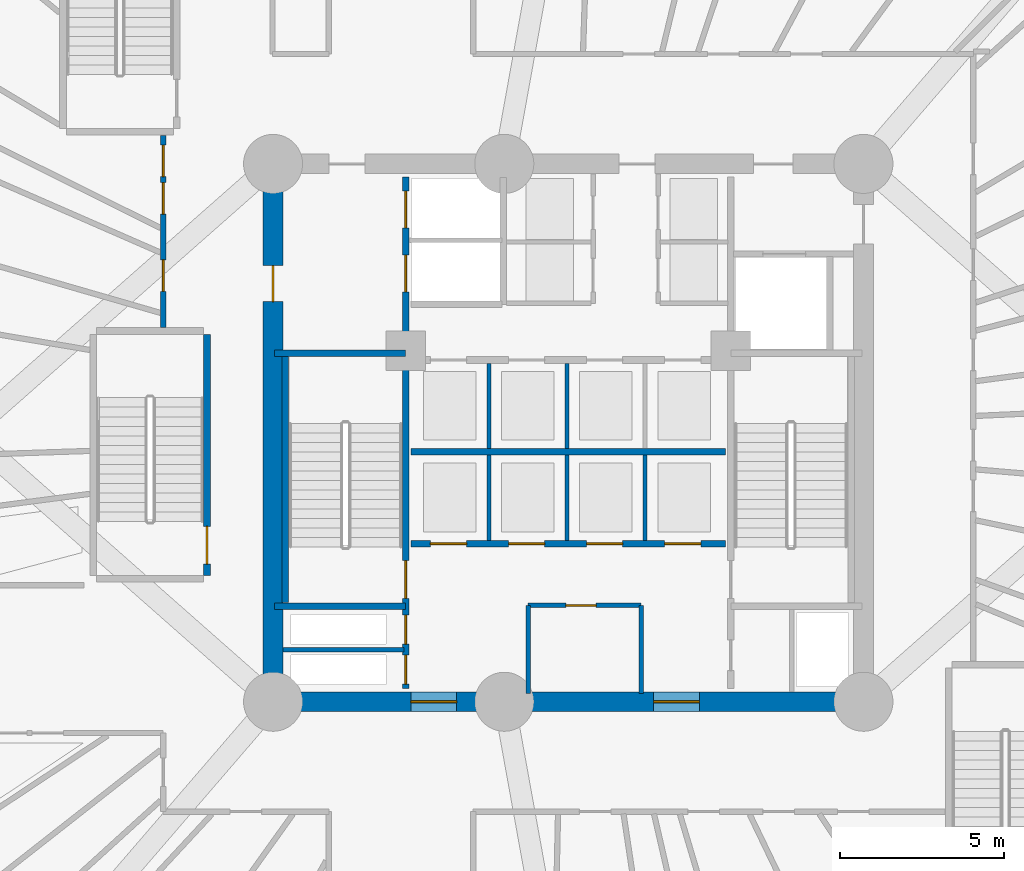
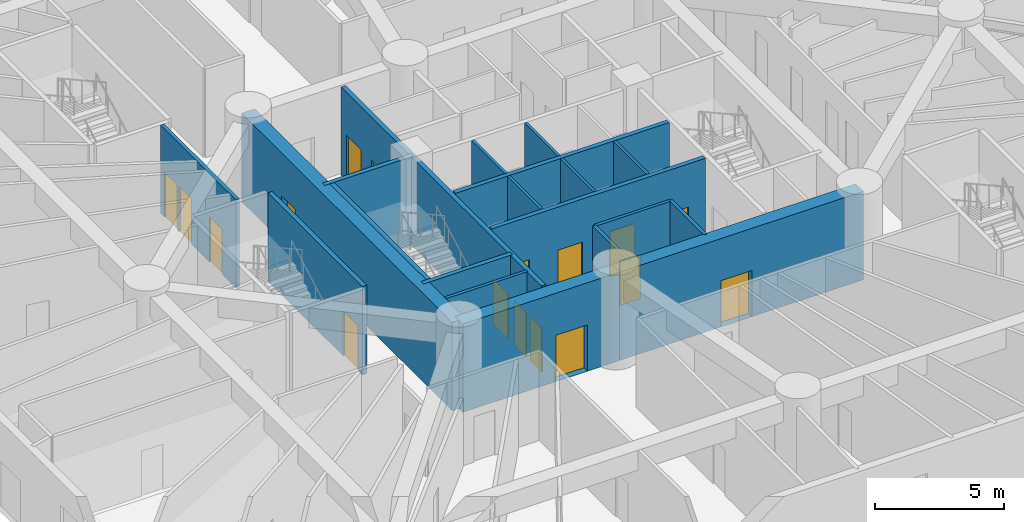
# One storey, part 15 of 30: 20 walls, 17 doors, 17 openings.
"""IFC4 building model written with IfcOpenShell, lengths in metres."""

from ifc_helpers import new_model, si_unit, direction, frame, frame_2d, origin, origin_with_axes, place, context, subcontext, project, spatial, rectangle, extrude, source, transform, mapped, material, layer, layer_set, type_object, element, fill, save


model = new_model("IFC4")

# Units and contexts
model_context = context("Model", 3, precision=1e-05, world=origin(), true_north=direction((0.0, 1.0)))
body_context = subcontext(model_context, "Body", "Model", "MODEL_VIEW")
ifc_project = project(units=[si_unit("LENGTHUNIT", "METRE"), si_unit("AREAUNIT", "SQUARE_METRE"), si_unit("VOLUMEUNIT", "CUBIC_METRE"), si_unit("PLANEANGLEUNIT", "RADIAN"), si_unit("MASSUNIT", "GRAM", prefix="KILO")], contexts=[model_context])

# Site, building, storey
site_placement = place(None, origin())
site = spatial("IfcSite", under=ifc_project, at=site_placement, CompositionType="ELEMENT")
building_placement = place(site_placement, origin())
building = spatial("IfcBuilding", under=site, at=building_placement, Name="Karkom Vertical University and Central Library", CompositionType="ELEMENT")
storey_placement = place(building_placement, origin())
storey = spatial("IfcBuildingStorey", under=building, at=storey_placement, Name="L00", CompositionType="ELEMENT", Elevation=0.0)

# Wall, openings, doors
ifc_material_1 = material(Name="Insulated metal-stud drywall 160mm", Category="gypsum")
ifc_layer_1 = layer(ifc_material_1, 0.159912109375)
ifc_layer_set_1 = layer_set([ifc_layer_1], Name="Insulated metal-stud drywall 160mm")
wall_type_1 = type_object("IfcWallType", Name="INT-WL-COR-160F", PredefinedType="PARTITIONING", material=ifc_layer_set_1)
wall_1_placement = place(storey_placement, frame((16.14990234375, 29.7119140625, 0.0), z_axis=(0.0, 0.0, 1.0), x_axis=(0.0, 1.0, 0.0)))
wall_1 = element("IfcWall", 1, at=wall_1_placement, inside=storey, type_object=wall_type_1, Name="Level 00 Interior Partition Wall L00-PDCW-CW-002", PredefinedType="PARTITIONING", context=body_context, shape_type="SweptSolid", body=[
    extrude(rectangle(XDim=5.86083984375, YDim=0.159912109375, at=frame_2d((2.930419921875, 0.0))), origin(), (0.0, 0.0, 1.0), 4.199951171875),
])
opening_1_placement = place(wall_1_placement, frame((3.45947265625, 0.0, 0.0)))
opening_1 = element("IfcOpeningElement", 2, at=opening_1_placement, cuts=wall_1, Name="Opening FD-RM2", PredefinedType="OPENING", context=body_context, shape_type="SweptSolid", body=[
    extrude(rectangle(XDim=0.9599609375, YDim=2.14990234375, at=frame_2d((0.47998046875, 1.074951171875))), frame((0.0, 0.08984375, 0.0), z_axis=(0.0, -1.0, 0.0), x_axis=(1.0, 0.0, 0.0)), (0.0, 0.0, 1.0), 0.179931640625),
])
opening_2_placement = place(wall_1_placement, frame((1.10009765625, 0.0, 0.0)))
opening_2 = element("IfcOpeningElement", 3, at=opening_2_placement, cuts=wall_1, Name="Opening FD-RM2", PredefinedType="OPENING", context=body_context, shape_type="SweptSolid", body=[
    extrude(rectangle(XDim=0.9599609375, YDim=2.14990234375, at=frame_2d((0.47998046875, 1.074951171875))), frame((0.0, 0.08984375, 0.0), z_axis=(0.0, -1.0, 0.0), x_axis=(1.0, 0.0, 0.0)), (0.0, 0.0, 1.0), 0.179931640625),
])
opening_3_placement = place(wall_1_placement, frame((4.6005859375, 0.0, 0.0)))
opening_3 = element("IfcOpeningElement", 4, at=opening_3_placement, cuts=wall_1, Name="Opening FD-RM2", PredefinedType="OPENING", context=body_context, shape_type="SweptSolid", body=[
    extrude(rectangle(XDim=0.9599609375, YDim=2.14990234375, at=frame_2d((0.47998046875, 1.074951171875))), frame((0.0, 0.08984375, 0.0), z_axis=(0.0, -1.0, 0.0), x_axis=(1.0, 0.0, 0.0)), (0.0, 0.0, 1.0), 0.179931640625),
])
ifc_material_2 = material(Name="Fire-rated oak veneer door", Category="wood")
door_type_1 = type_object("IfcDoorType", Name="INT-DR-FRM2", OperationType="NOTDEFINED", PredefinedType="DOOR", material=ifc_material_2)
shared_shape_1 = source(origin_with_axes(), body_context, "Body", "SweptSolid", [
    extrude(rectangle(XDim=0.9599609375, YDim=2.14990234375, at=frame_2d((0.47998046875, 1.074951171875))), frame((0.0, 0.02490234375, 0.0), z_axis=(0.0, -1.0, 0.0), x_axis=(1.0, 0.0, 0.0)), (0.0, 0.0, 1.0), 0.050048828125),
])
door_1_placement = place(opening_1_placement, origin())
door_1 = element("IfcDoor", 5, at=door_1_placement, inside=storey, type_object=door_type_1, Name="Level 00 Room Entry Door 845", OperationType="SINGLE_SWING_RIGHT", OverallHeight=2.14990234375, OverallWidth=0.9599609375, PredefinedType="DOOR", context=body_context, shape_type="MappedRepresentation", body=[
    mapped(shared_shape_1, transform((0.0, 0.0, 0.0), scale=1.0)),
])
fill(opening_1, door_1)
door_2_placement = place(opening_2_placement, origin())
door_2 = element("IfcDoor", 6, at=door_2_placement, inside=storey, type_object=door_type_1, Name="Level 00 Room Entry Door 846", OperationType="SINGLE_SWING_LEFT", OverallHeight=2.14990234375, OverallWidth=0.9599609375, PredefinedType="DOOR", context=body_context, shape_type="MappedRepresentation", body=[
    mapped(shared_shape_1, transform((0.0, 0.0, 0.0), scale=1.0)),
])
fill(opening_2, door_2)
door_3_placement = place(opening_3_placement, origin())
door_3 = element("IfcDoor", 7, at=door_3_placement, inside=storey, type_object=door_type_1, Name="Level 00 Room Entry Door 847", OperationType="SINGLE_SWING_RIGHT", OverallHeight=2.14990234375, OverallWidth=0.9599609375, PredefinedType="DOOR", context=body_context, shape_type="MappedRepresentation", body=[
    mapped(shared_shape_1, transform((0.0, 0.0, 0.0), scale=1.0)),
])
fill(opening_3, door_3)

# Walls
ifc_material_3 = material(Name="Moisture-resistant drywall 120mm", Category="gypsum")
ifc_layer_2 = layer(ifc_material_3, 0.1201171875)
ifc_layer_set_2 = layer_set([ifc_layer_2], Name="Moisture-resistant drywall 120mm")
wall_type_2 = type_object("IfcWallType", Name="INT-WL-INT-120H", PredefinedType="PARTITIONING", material=ifc_layer_set_2)
for number, where, z_axis, x_axis, name in (
    (8, (26.080078125, 23.219970703125, 0.0), (0.0, 0.0, 1.0), (0.0, 1.0, 0.0), "Level 00 Interior Partition Wall L00-CW-PL-DIV1"),
    (9, (28.4599609375, 23.219970703125, 0.0), (0.0, 0.0, 1.0), (0.0, 1.0, 0.0), "Level 00 Interior Partition Wall L00-CW-PL-DIV2"),
    (10, (30.840087890625, 23.219970703125, 0.0), (0.0, 0.0, 1.0), (0.0, 1.0, 0.0), "Level 00 Interior Partition Wall L00-CW-PL-DIV3"),
    (11, (26.080078125, 26.02001953125, 0.0), (0.0, 0.0, 1.0), (0.0, 1.0, 0.0), "Level 00 Interior Partition Wall L00-CW-PM-DIV1"),
    (12, (28.4599609375, 26.02001953125, 0.0), (0.0, 0.0, 1.0), (0.0, 1.0, 0.0), "Level 00 Interior Partition Wall L00-CW-PM-DIV2"),
):
    element("IfcWall", number, at=place(storey_placement, frame(where, z_axis=z_axis, x_axis=x_axis)), inside=storey, type_object=wall_type_2, Name=name, PredefinedType="PARTITIONING", context=body_context, shape_type="SweptSolid", body=[
        extrude(rectangle(XDim=2.60009765625, YDim=0.1201171875, at=frame_2d((1.300048828125, 0.0))), origin(), (0.0, 0.0, 1.0), 4.199951171875),
    ])

# Wall, opening, door
ifc_material_4 = material(Name="Metal-stud gypsum partition 140mm", Category="gypsum")
ifc_layer_3 = layer(ifc_material_4, 0.139892578125)
ifc_layer_set_3 = layer_set([ifc_layer_3], Name="Metal-stud gypsum partition 140mm")
wall_type_3 = type_object("IfcWallType", Name="INT-WL-SUB-140", PredefinedType="PARTITIONING", material=ifc_layer_set_3)
wall_2_placement = place(storey_placement, frame((27.280029296875, 21.239990234375, 0.0), z_axis=(0.0, 0.0, 1.0), x_axis=(1.0, 0.0, 0.0)))
wall_2 = element("IfcWall", 13, at=wall_2_placement, inside=storey, type_object=wall_type_3, Name="Level 00 Interior Partition Wall L00-CW-KBAY-N", PredefinedType="PARTITIONING", context=body_context, shape_type="SweptSolid", body=[
    extrude(rectangle(XDim=3.43994140625, YDim=0.139892578125, at=frame_2d((1.719970703125, 0.0))), origin(), (0.0, 0.0, 1.0), 4.199951171875),
])
opening_4_placement = place(wall_2_placement, frame((1.14990234375, 0.0, 0.0)))
opening_4 = element("IfcOpeningElement", 14, at=opening_4_placement, cuts=wall_2, Name="Opening D-SVC1", PredefinedType="OPENING", context=body_context, shape_type="SweptSolid", body=[
    extrude(rectangle(XDim=0.919921875, YDim=2.10009765625, at=frame_2d((0.4599609375, 1.050048828125))), frame((0.0, 0.080078125, 0.0), z_axis=(0.0, -1.0, 0.0), x_axis=(1.0, 0.0, 0.0)), (0.0, 0.0, 1.0), 0.159912109375),
])
ifc_material_5 = material(Name="Painted timber service door", Category="wood")
door_type_2 = type_object("IfcDoorType", Name="INT-DR-SVC1", OperationType="NOTDEFINED", PredefinedType="DOOR", material=ifc_material_5)
shared_shape_2 = source(origin_with_axes(), body_context, "Body", "SweptSolid", [
    extrude(rectangle(XDim=0.919921875, YDim=2.10009765625, at=frame_2d((0.4599609375, 1.050048828125))), frame((0.0, 0.02490234375, 0.0), z_axis=(0.0, -1.0, 0.0), x_axis=(1.0, 0.0, 0.0)), (0.0, 0.0, 1.0), 0.050048828125),
])
door_4_placement = place(opening_4_placement, origin())
door_4 = element("IfcDoor", 15, at=door_4_placement, inside=storey, type_object=door_type_2, Name="Level 00 Comms Room Door", OperationType="SINGLE_SWING_LEFT", OverallHeight=2.10009765625, OverallWidth=0.919921875, PredefinedType="DOOR", context=body_context, shape_type="MappedRepresentation", body=[
    mapped(shared_shape_2, transform((0.0, 0.0, 0.0), scale=1.0)),
])
fill(opening_4, door_4)

# Walls
for number, where, z_axis, x_axis, name in (
    (16, (27.280029296875, 18.550048828125, 0.0), (0.0, 0.0, 1.0), (0.0, 1.0, 0.0), "Level 00 Interior Partition Wall L00-CW-KBAY-W"),
    (17, (30.719970703125, 18.550048828125, 0.0), (0.0, 0.0, 1.0), (0.0, 1.0, 0.0), "Level 00 Interior Partition Wall L00-CW-KBAY-E"),
):
    element("IfcWall", number, at=place(storey_placement, frame(where, z_axis=z_axis, x_axis=x_axis)), inside=storey, type_object=wall_type_3, Name=name, PredefinedType="PARTITIONING", context=body_context, shape_type="SweptSolid", body=[
        extrude(rectangle(XDim=2.68994140625, YDim=0.139892578125, at=frame_2d((1.344970703125, 0.0))), origin(), (0.0, 0.0, 1.0), 4.199951171875),
    ])
ifc_layer_4 = layer(ifc_material_4, 0.139892578125)
ifc_layer_set_4 = layer_set([ifc_layer_4], Name="Metal-stud gypsum partition 140mm")
wall_type_4 = type_object("IfcWallType", Name="INT-WL-SUB-140H", PredefinedType="PARTITIONING", material=ifc_layer_set_4)
wall_3_placement = place(storey_placement, frame((19.806884765625, 19.889892578125, 0.0), z_axis=(0.0, 0.0, 1.0), x_axis=(1.0, 0.0, 0.0)))
element("IfcWall", 18, at=wall_3_placement, inside=storey, type_object=wall_type_4, Name="Level 00 Interior Partition Wall L00-CW-RIS-W", PredefinedType="PARTITIONING", context=body_context, shape_type="SweptSolid", body=[
    extrude(rectangle(XDim=3.68896484375, YDim=0.139892578125, at=frame_2d((1.844482421875, 0.0))), origin(), (0.0, 0.0, 1.0), 4.199951171875),
])

# Wall, opening, door
ifc_material_6 = material(Name="Concrete C50/60", Category="concrete")
ifc_layer_5 = layer(ifc_material_6, 0.60009765625)
ifc_layer_set_5 = layer_set([ifc_layer_5], Name="Concrete C50/60")
wall_type_5 = type_object("IfcWallType", Name="STR-WL-CW-600", PredefinedType="SHEAR", material=ifc_layer_set_5)
wall_4_placement = place(storey_placement, frame((19.5, 18.300048828125, 0.0), z_axis=(0.0, 0.0, 1.0), x_axis=(1.0, 0.0, 0.0)))
wall_4 = element("IfcWall", 19, at=wall_4_placement, inside=storey, type_object=wall_type_5, Name="Level 00 Central Core Shear Wall SW1", PredefinedType="SHEAR", context=body_context, shape_type="SweptSolid", body=[
    extrude(rectangle(XDim=7.050048828125, YDim=0.60009765625, at=frame_2d((3.52490234375, 0.0))), origin(), (0.0, 0.0, 1.0), 4.199951171875),
])
opening_5_placement = place(wall_4_placement, frame((4.199951171875, 0.0, 0.0)))
opening_5 = element("IfcOpeningElement", 20, at=opening_5_placement, cuts=wall_4, Name="Opening FD-CLB", PredefinedType="OPENING", context=body_context, shape_type="SweptSolid", body=[
    extrude(rectangle(XDim=1.39990234375, YDim=2.199951171875, at=frame_2d((0.699951171875, 1.10009765625))), frame((0.0, 0.31005859375, 0.0), z_axis=(0.0, -1.0, 0.0), x_axis=(1.0, 0.0, 0.0)), (0.0, 0.0, 1.0), 0.6201171875),
])
ifc_material_7 = material(Name="Painted steel fire door", Category="steel")
door_type_3 = type_object("IfcDoorType", Name="INT-DR-CLB", OperationType="DOUBLE_DOOR_SINGLE_SWING", PredefinedType="DOOR", material=ifc_material_7)
shared_shape_3 = source(origin_with_axes(), body_context, "Body", "SweptSolid", [
    extrude(rectangle(XDim=1.39990234375, YDim=2.199951171875, at=frame_2d((0.699951171875, 1.10009765625))), frame((0.0, 0.02490234375, 0.0), z_axis=(0.0, -1.0, 0.0), x_axis=(1.0, 0.0, 0.0)), (0.0, 0.0, 1.0), 0.050048828125),
])
door_5_placement = place(opening_5_placement, origin())
door_5 = element("IfcDoor", 21, at=door_5_placement, inside=storey, type_object=door_type_3, Name="Level 00 South Core Lobby West Exit Door", OperationType="DOUBLE_DOOR_SINGLE_SWING", OverallHeight=2.199951171875, OverallWidth=1.39990234375, PredefinedType="DOOR", context=body_context, shape_type="MappedRepresentation", body=[
    mapped(shared_shape_3, transform((0.0, 0.0, 0.0), scale=1.0)),
])
fill(opening_5, door_5)

wall_5_placement = place(storey_placement, frame((26.550048828125, 18.300048828125, 0.0), z_axis=(0.0, 0.0, 1.0), x_axis=(1.0, 0.0, 0.0)))
wall_5 = element("IfcWall", 22, at=wall_5_placement, inside=storey, type_object=wall_type_5, Name="Level 00 Central Core Shear Wall SW2", PredefinedType="SHEAR", context=body_context, shape_type="SweptSolid", body=[
    extrude(rectangle(XDim=10.949951171875, YDim=0.60009765625, at=frame_2d((5.47509765625, 0.0))), origin(), (0.0, 0.0, 1.0), 4.199951171875),
])
opening_6_placement = place(wall_5_placement, frame((4.550048828125, 0.0, 0.0)))
opening_6 = element("IfcOpeningElement", 23, at=opening_6_placement, cuts=wall_5, Name="Opening FD-CLB", PredefinedType="OPENING", context=body_context, shape_type="SweptSolid", body=[
    extrude(rectangle(XDim=1.39990234375, YDim=2.199951171875, at=frame_2d((0.699951171875, 1.10009765625))), frame((0.0, 0.31005859375, 0.0), z_axis=(0.0, -1.0, 0.0), x_axis=(1.0, 0.0, 0.0)), (0.0, 0.0, 1.0), 0.6201171875),
])
door_6_placement = place(opening_6_placement, origin())
door_6 = element("IfcDoor", 24, at=door_6_placement, inside=storey, type_object=door_type_3, Name="Level 00 South Core Lobby East Exit Door", OperationType="DOUBLE_DOOR_SINGLE_SWING", OverallHeight=2.199951171875, OverallWidth=1.39990234375, PredefinedType="DOOR", context=body_context, shape_type="MappedRepresentation", body=[
    mapped(shared_shape_3, transform((0.0, 0.0, 0.0), scale=1.0)),
])
fill(opening_6, door_6)

wall_6_placement = place(storey_placement, frame((19.5, 34.699951171875, 0.0), z_axis=(0.0, 0.0, 1.0), x_axis=(0.0, -1.0, 0.0)))
wall_6 = element("IfcWall", 25, at=wall_6_placement, inside=storey, type_object=wall_type_5, Name="Level 00 Central Core Shear Wall WW", PredefinedType="SHEAR", context=body_context, shape_type="SweptSolid", body=[
    extrude(rectangle(XDim=16.39990234375, YDim=0.60009765625, at=frame_2d((8.199951171875, 0.0))), origin(), (0.0, 0.0, 1.0), 4.199951171875),
])
opening_7_placement = place(wall_6_placement, frame((3.10009765625, 0.0, 0.0)))
opening_7 = element("IfcOpeningElement", 26, at=opening_7_placement, cuts=wall_6, Name="Opening FD-FFL", PredefinedType="OPENING", context=body_context, shape_type="SweptSolid", body=[
    extrude(rectangle(XDim=1.10009765625, YDim=2.14990234375, at=frame_2d((0.550048828125, 1.074951171875))), frame((0.0, 0.31005859375, 0.0), z_axis=(0.0, -1.0, 0.0), x_axis=(1.0, 0.0, 0.0)), (0.0, 0.0, 1.0), 0.6201171875),
])
ifc_material_8 = material(Name="Painted steel smoke-seal fire door", Category="steel")
door_type_4 = type_object("IfcDoorType", Name="INT-DR-FFL", OperationType="NOTDEFINED", PredefinedType="DOOR", material=ifc_material_8)
shared_shape_4 = source(origin_with_axes(), body_context, "Body", "SweptSolid", [
    extrude(rectangle(XDim=1.10009765625, YDim=2.14990234375, at=frame_2d((0.550048828125, 1.074951171875))), frame((0.0, 0.02490234375, 0.0), z_axis=(0.0, -1.0, 0.0), x_axis=(1.0, 0.0, 0.0)), (0.0, 0.0, 1.0), 0.050048828125),
])
door_7_placement = place(opening_7_placement, origin())
door_7 = element("IfcDoor", 27, at=door_7_placement, inside=storey, type_object=door_type_4, Name="Level 00 West Corridor Firefighting Lobby Door", OperationType="SINGLE_SWING_LEFT", OverallHeight=2.14990234375, OverallWidth=1.10009765625, PredefinedType="DOOR", context=body_context, shape_type="MappedRepresentation", body=[
    mapped(shared_shape_4, transform((0.0, 0.0, 0.0), scale=1.0)),
])
fill(opening_7, door_7)

# Wall, openings, doors
ifc_material_9 = material(Name="Concrete C45/55", Category="concrete")
ifc_layer_6 = layer(ifc_material_9, 0.199951171875)
ifc_layer_set_6 = layer_set([ifc_layer_6], Name="Concrete C45/55")
wall_type_6 = type_object("IfcWallType", Name="STR-WL-ST-200", PredefinedType="SHEAR", material=ifc_layer_set_6)
wall_7_placement = place(storey_placement, frame((23.544921875, 18.699951171875, 0.0), z_axis=(0.0, 0.0, 1.0), x_axis=(0.0, 1.0, 0.0)))
wall_7 = element("IfcWall", 28, at=wall_7_placement, inside=storey, type_object=wall_type_6, Name="Level 00 Core Shaft Wall L00-CW-ST1-E", PredefinedType="SHEAR", context=body_context, shape_type="SweptSolid", body=[
    extrude(rectangle(XDim=15.60009765625, YDim=0.199951171875, at=frame_2d((7.800048828125, 0.0))), origin(), (0.0, 0.0, 1.0), 4.199951171875),
])
opening_8_placement = place(wall_7_placement, frame((2.75, 0.0, 0.0)))
opening_8 = element("IfcOpeningElement", 29, at=opening_8_placement, cuts=wall_7, Name="Opening FD-ST1", PredefinedType="OPENING", context=body_context, shape_type="SweptSolid", body=[
    extrude(rectangle(XDim=1.14990234375, YDim=2.14990234375, at=frame_2d((0.574951171875, 1.074951171875))), frame((0.0, 0.10986328125, 0.0), z_axis=(0.0, -1.0, 0.0), x_axis=(1.0, 0.0, 0.0)), (0.0, 0.0, 1.0), 0.219970703125),
])
opening_9_placement = place(wall_7_placement, frame((0.139892578125, 0.0, 0.0)))
opening_9 = element("IfcOpeningElement", 30, at=opening_9_placement, cuts=wall_7, Name="Opening FD-RIS", PredefinedType="OPENING", context=body_context, shape_type="SweptSolid", body=[
    extrude(rectangle(XDim=0.8798828125, YDim=2.10009765625, at=frame_2d((0.43994140625, 1.050048828125))), frame((0.0, 0.10986328125, 0.0), z_axis=(0.0, -1.0, 0.0), x_axis=(1.0, 0.0, 0.0)), (0.0, 0.0, 1.0), 0.219970703125),
])
opening_10_placement = place(wall_7_placement, frame((1.360107421875, 0.0, 0.0)))
opening_10 = element("IfcOpeningElement", 31, at=opening_10_placement, cuts=wall_7, Name="Opening FD-RIS", PredefinedType="OPENING", context=body_context, shape_type="SweptSolid", body=[
    extrude(rectangle(XDim=0.8798828125, YDim=2.10009765625, at=frame_2d((0.43994140625, 1.050048828125))), frame((0.0, 0.10986328125, 0.0), z_axis=(0.0, -1.0, 0.0), x_axis=(1.0, 0.0, 0.0)), (0.0, 0.0, 1.0), 0.219970703125),
])
opening_11_placement = place(wall_7_placement, frame((12.10009765625, 0.0, 0.0)))
opening_11 = element("IfcOpeningElement", 32, at=opening_11_placement, cuts=wall_7, Name="Opening LD-FFL", PredefinedType="OPENING", context=body_context, shape_type="SweptSolid", body=[
    extrude(rectangle(XDim=1.1201171875, YDim=2.14990234375, at=frame_2d((0.56005859375, 1.074951171875))), frame((0.0, 0.10986328125, 0.0), z_axis=(0.0, -1.0, 0.0), x_axis=(1.0, 0.0, 0.0)), (0.0, 0.0, 1.0), 0.219970703125),
])
opening_12_placement = place(wall_7_placement, frame((14.050048828125, 0.0, 0.0)))
opening_12 = element("IfcOpeningElement", 33, at=opening_12_placement, cuts=wall_7, Name="Opening LD-FFL", PredefinedType="OPENING", context=body_context, shape_type="SweptSolid", body=[
    extrude(rectangle(XDim=1.1201171875, YDim=2.14990234375, at=frame_2d((0.56005859375, 1.074951171875))), frame((0.0, 0.10986328125, 0.0), z_axis=(0.0, -1.0, 0.0), x_axis=(1.0, 0.0, 0.0)), (0.0, 0.0, 1.0), 0.219970703125),
])
ifc_material_10 = material(Name="Painted steel acoustic fire door", Category="steel")
door_type_5 = type_object("IfcDoorType", Name="INT-DR-ST1", OperationType="NOTDEFINED", PredefinedType="DOOR", material=ifc_material_10)
shared_shape_5 = source(origin_with_axes(), body_context, "Body", "SweptSolid", [
    extrude(rectangle(XDim=1.14990234375, YDim=2.14990234375, at=frame_2d((0.574951171875, 1.074951171875))), frame((0.0, 0.02490234375, 0.0), z_axis=(0.0, -1.0, 0.0), x_axis=(1.0, 0.0, 0.0)), (0.0, 0.0, 1.0), 0.050048828125),
])
door_8_placement = place(opening_8_placement, origin())
door_8 = element("IfcDoor", 34, at=door_8_placement, inside=storey, type_object=door_type_5, Name="Level 00 Stair ST-1 Fire Door", OperationType="SINGLE_SWING_RIGHT", OverallHeight=2.14990234375, OverallWidth=1.14990234375, PredefinedType="DOOR", context=body_context, shape_type="MappedRepresentation", body=[
    mapped(shared_shape_5, transform((0.0, 0.0, 0.0), scale=1.0)),
])
fill(opening_8, door_8)
ifc_material_11 = material(Name="Painted steel riser access door", Category="steel")
door_type_6 = type_object("IfcDoorType", Name="INT-DR-RIS", OperationType="NOTDEFINED", PredefinedType="DOOR", material=ifc_material_11)
shared_shape_6 = source(origin_with_axes(), body_context, "Body", "SweptSolid", [
    extrude(rectangle(XDim=0.8798828125, YDim=2.10009765625, at=frame_2d((0.43994140625, 1.050048828125))), frame((0.0, 0.02490234375, 0.0), z_axis=(0.0, -1.0, 0.0), x_axis=(1.0, 0.0, 0.0)), (0.0, 0.0, 1.0), 0.050048828125),
])
door_9_placement = place(opening_9_placement, origin())
door_9 = element("IfcDoor", 35, at=door_9_placement, inside=storey, type_object=door_type_6, Name="Level 00 Electrical Riser Access Door", OperationType="SINGLE_SWING_RIGHT", OverallHeight=2.10009765625, OverallWidth=0.8798828125, PredefinedType="DOOR", context=body_context, shape_type="MappedRepresentation", body=[
    mapped(shared_shape_6, transform((0.0, 0.0, 0.0), scale=1.0)),
])
fill(opening_9, door_9)
door_10_placement = place(opening_10_placement, origin())
door_10 = element("IfcDoor", 36, at=door_10_placement, inside=storey, type_object=door_type_6, Name="Level 00 Telecom Riser Access Door", OperationType="SINGLE_SWING_LEFT", OverallHeight=2.10009765625, OverallWidth=0.8798828125, PredefinedType="DOOR", context=body_context, shape_type="MappedRepresentation", body=[
    mapped(shared_shape_6, transform((0.0, 0.0, 0.0), scale=1.0)),
])
fill(opening_10, door_10)
ifc_material_12 = material(Name="Fire-rated stainless-steel landing door", Category="steel")
door_type_7 = type_object("IfcDoorType", Name="INT-DR-LD-FFL", OperationType="SLIDING_TO_LEFT", PredefinedType="DOOR", material=ifc_material_12)
shared_shape_7 = source(origin_with_axes(), body_context, "Body", "SweptSolid", [
    extrude(rectangle(XDim=1.1201171875, YDim=2.14990234375, at=frame_2d((0.56005859375, 1.074951171875))), frame((0.0, 0.02490234375, 0.0), z_axis=(0.0, -1.0, 0.0), x_axis=(1.0, 0.0, 0.0)), (0.0, 0.0, 1.0), 0.050048828125),
])
door_11_placement = place(opening_11_placement, origin())
door_11 = element("IfcDoor", 37, at=door_11_placement, inside=storey, type_object=door_type_7, Name="Level 00 Firefighting Lift FFL-1 Landing Door", OperationType="SLIDING_TO_LEFT", OverallHeight=2.14990234375, OverallWidth=1.1201171875, PredefinedType="DOOR", context=body_context, shape_type="MappedRepresentation", body=[
    mapped(shared_shape_7, transform((0.0, 0.0, 0.0), scale=1.0)),
])
fill(opening_11, door_11)
door_12_placement = place(opening_12_placement, origin())
door_12 = element("IfcDoor", 38, at=door_12_placement, inside=storey, type_object=door_type_7, Name="Level 00 Firefighting Lift FFL-2 Landing Door", OperationType="SLIDING_TO_RIGHT", OverallHeight=2.14990234375, OverallWidth=1.1201171875, PredefinedType="DOOR", context=body_context, shape_type="MappedRepresentation", body=[
    mapped(shared_shape_7, transform((0.0, 0.0, 0.0), scale=1.0)),
])
fill(opening_12, door_12)

wall_8_placement = place(storey_placement, frame((23.699951171875, 23.1201171875, 0.0), z_axis=(0.0, 0.0, 1.0), x_axis=(1.0, 0.0, 0.0)))
wall_8 = element("IfcWall", 39, at=wall_8_placement, inside=storey, type_object=wall_type_6, Name="Level 00 Core Shaft Wall L00-CW-B1-S", PredefinedType="SHEAR", context=body_context, shape_type="SweptSolid", body=[
    extrude(rectangle(XDim=9.60009765625, YDim=0.199951171875, at=frame_2d((4.800048828125, 0.0))), origin(), (0.0, 0.0, 1.0), 4.199951171875),
])
opening_13_placement = place(wall_8_placement, frame((0.60009765625, 0.0, 0.0)))
opening_13 = element("IfcOpeningElement", 40, at=opening_13_placement, cuts=wall_8, Name="Opening LD-PAX", PredefinedType="OPENING", context=body_context, shape_type="SweptSolid", body=[
    extrude(rectangle(XDim=1.10009765625, YDim=2.14990234375, at=frame_2d((0.550048828125, 1.074951171875))), frame((0.0, 0.10986328125, 0.0), z_axis=(0.0, -1.0, 0.0), x_axis=(1.0, 0.0, 0.0)), (0.0, 0.0, 1.0), 0.219970703125),
])
opening_14_placement = place(wall_8_placement, frame((2.97998046875, 0.0, 0.0)))
opening_14 = element("IfcOpeningElement", 41, at=opening_14_placement, cuts=wall_8, Name="Opening LD-PAX", PredefinedType="OPENING", context=body_context, shape_type="SweptSolid", body=[
    extrude(rectangle(XDim=1.10009765625, YDim=2.14990234375, at=frame_2d((0.550048828125, 1.074951171875))), frame((0.0, 0.10986328125, 0.0), z_axis=(0.0, -1.0, 0.0), x_axis=(1.0, 0.0, 0.0)), (0.0, 0.0, 1.0), 0.219970703125),
])
opening_15_placement = place(wall_8_placement, frame((5.360107421875, 0.0, 0.0)))
opening_15 = element("IfcOpeningElement", 42, at=opening_15_placement, cuts=wall_8, Name="Opening LD-PAX", PredefinedType="OPENING", context=body_context, shape_type="SweptSolid", body=[
    extrude(rectangle(XDim=1.10009765625, YDim=2.14990234375, at=frame_2d((0.550048828125, 1.074951171875))), frame((0.0, 0.10986328125, 0.0), z_axis=(0.0, -1.0, 0.0), x_axis=(1.0, 0.0, 0.0)), (0.0, 0.0, 1.0), 0.219970703125),
])
opening_16_placement = place(wall_8_placement, frame((7.739990234375, 0.0, 0.0)))
opening_16 = element("IfcOpeningElement", 43, at=opening_16_placement, cuts=wall_8, Name="Opening LD-PAX", PredefinedType="OPENING", context=body_context, shape_type="SweptSolid", body=[
    extrude(rectangle(XDim=1.10009765625, YDim=2.14990234375, at=frame_2d((0.550048828125, 1.074951171875))), frame((0.0, 0.10986328125, 0.0), z_axis=(0.0, -1.0, 0.0), x_axis=(1.0, 0.0, 0.0)), (0.0, 0.0, 1.0), 0.219970703125),
])
ifc_material_13 = material(Name="Brushed stainless-steel landing door", Category="steel")
door_type_8 = type_object("IfcDoorType", Name="INT-DR-LD-PAX", OperationType="SLIDING_TO_LEFT", PredefinedType="DOOR", material=ifc_material_13)
door_13_placement = place(opening_13_placement, origin())
door_13 = element("IfcDoor", 44, at=door_13_placement, inside=storey, type_object=door_type_8, Name="Level 00 Lift PL-1 Landing Door", OperationType="SLIDING_TO_LEFT", OverallHeight=2.14990234375, OverallWidth=1.10009765625, PredefinedType="DOOR", context=body_context, shape_type="MappedRepresentation", body=[
    mapped(shared_shape_4, transform((0.0, 0.0, 0.0), scale=1.0)),
])
fill(opening_13, door_13)
door_14_placement = place(opening_14_placement, origin())
door_14 = element("IfcDoor", 45, at=door_14_placement, inside=storey, type_object=door_type_8, Name="Level 00 Lift PL-2 Landing Door", OperationType="SLIDING_TO_RIGHT", OverallHeight=2.14990234375, OverallWidth=1.10009765625, PredefinedType="DOOR", context=body_context, shape_type="MappedRepresentation", body=[
    mapped(shared_shape_4, transform((0.0, 0.0, 0.0), scale=1.0)),
])
fill(opening_14, door_14)
door_15_placement = place(opening_15_placement, origin())
door_15 = element("IfcDoor", 46, at=door_15_placement, inside=storey, type_object=door_type_8, Name="Level 00 Lift PL-3 Landing Door", OperationType="SLIDING_TO_LEFT", OverallHeight=2.14990234375, OverallWidth=1.10009765625, PredefinedType="DOOR", context=body_context, shape_type="MappedRepresentation", body=[
    mapped(shared_shape_4, transform((0.0, 0.0, 0.0), scale=1.0)),
])
fill(opening_15, door_15)
door_16_placement = place(opening_16_placement, origin())
door_16 = element("IfcDoor", 47, at=door_16_placement, inside=storey, type_object=door_type_8, Name="Level 00 Lift PL-4 Landing Door", OperationType="SLIDING_TO_RIGHT", OverallHeight=2.14990234375, OverallWidth=1.10009765625, PredefinedType="DOOR", context=body_context, shape_type="MappedRepresentation", body=[
    mapped(shared_shape_4, transform((0.0, 0.0, 0.0), scale=1.0)),
])
fill(opening_16, door_16)

# Walls
wall_9_placement = place(storey_placement, frame((23.699951171875, 25.919921875, 0.0), z_axis=(0.0, 0.0, 1.0), x_axis=(1.0, 0.0, 0.0)))
element("IfcWall", 48, at=wall_9_placement, inside=storey, type_object=wall_type_6, Name="Level 00 Core Shaft Wall L00-CW-B1-N", PredefinedType="SHEAR", context=body_context, shape_type="SweptSolid", body=[
    extrude(rectangle(XDim=9.60009765625, YDim=0.199951171875, at=frame_2d((4.800048828125, 0.0))), origin(), (0.0, 0.0, 1.0), 4.199951171875),
])
wall_10_placement = place(storey_placement, frame((19.875, 21.320068359375, 0.0), z_axis=(0.0, 0.0, 1.0), x_axis=(0.0, 1.0, 0.0)))
element("IfcWall", 49, at=wall_10_placement, inside=storey, type_object=wall_type_6, Name="Level 00 Core Shaft Wall L00-CW-ST1-W", PredefinedType="SHEAR", context=body_context, shape_type="SweptSolid", body=[
    extrude(rectangle(XDim=7.5, YDim=0.199951171875, at=frame_2d((3.75, 0.0))), origin(), (0.0, 0.0, 1.0), 4.199951171875),
])

# Wall, opening, door
wall_11_placement = place(storey_placement, frame((17.485107421875, 22.14990234375, 0.0), z_axis=(0.0, 0.0, 1.0), x_axis=(0.0, 1.0, 0.0)))
wall_11 = element("IfcWall", 50, at=wall_11_placement, inside=storey, type_object=wall_type_6, Name="Level 00 Core Shaft Wall L00-W-ST3-E", PredefinedType="SHEAR", context=body_context, shape_type="SweptSolid", body=[
    extrude(rectangle(XDim=7.35009765625, YDim=0.199951171875, at=frame_2d((3.675048828125, 0.0))), origin(), (0.0, 0.0, 1.0), 4.199951171875),
])
opening_17_placement = place(wall_11_placement, frame((0.35009765625, 0.0, 0.0)))
opening_17 = element("IfcOpeningElement", 51, at=opening_17_placement, cuts=wall_11, Name="Opening FD-ST1", PredefinedType="OPENING", context=body_context, shape_type="SweptSolid", body=[
    extrude(rectangle(XDim=1.14990234375, YDim=2.14990234375, at=frame_2d((0.574951171875, 1.074951171875))), frame((0.0, 0.10986328125, 0.0), z_axis=(0.0, -1.0, 0.0), x_axis=(1.0, 0.0, 0.0)), (0.0, 0.0, 1.0), 0.219970703125),
])
door_17_placement = place(opening_17_placement, origin())
door_17 = element("IfcDoor", 52, at=door_17_placement, inside=storey, type_object=door_type_5, Name="Level 00 ST3 Stair Door", OperationType="SINGLE_SWING_LEFT", OverallHeight=2.14990234375, OverallWidth=1.14990234375, PredefinedType="DOOR", context=body_context, shape_type="MappedRepresentation", body=[
    mapped(shared_shape_5, transform((0.0, 0.0, 0.0), scale=1.0)),
])
fill(opening_17, door_17)

# Walls
for number, where, z_axis, x_axis, name in (
    (53, (19.550048828125, 21.215087890625, 0.0), (0.0, 0.0, 1.0), (1.0, 0.0, 0.0), "Level 00 Core Shaft Wall L00-CW-ST1-S"),
    (54, (19.550048828125, 28.925048828125, 0.0), (0.0, 0.0, 1.0), (1.0, 0.0, 0.0), "Level 00 Core Shaft Wall L00-CW-ST1-N"),
):
    element("IfcWall", number, at=place(storey_placement, frame(where, z_axis=z_axis, x_axis=x_axis)), inside=storey, type_object=wall_type_6, Name=name, PredefinedType="SHEAR", context=body_context, shape_type="SweptSolid", body=[
        extrude(rectangle(XDim=3.994873046875, YDim=0.199951171875, at=frame_2d((1.99755859375, 0.0))), origin(), (0.0, 0.0, 1.0), 4.199951171875),
    ])

save(model, "model.ifc")
